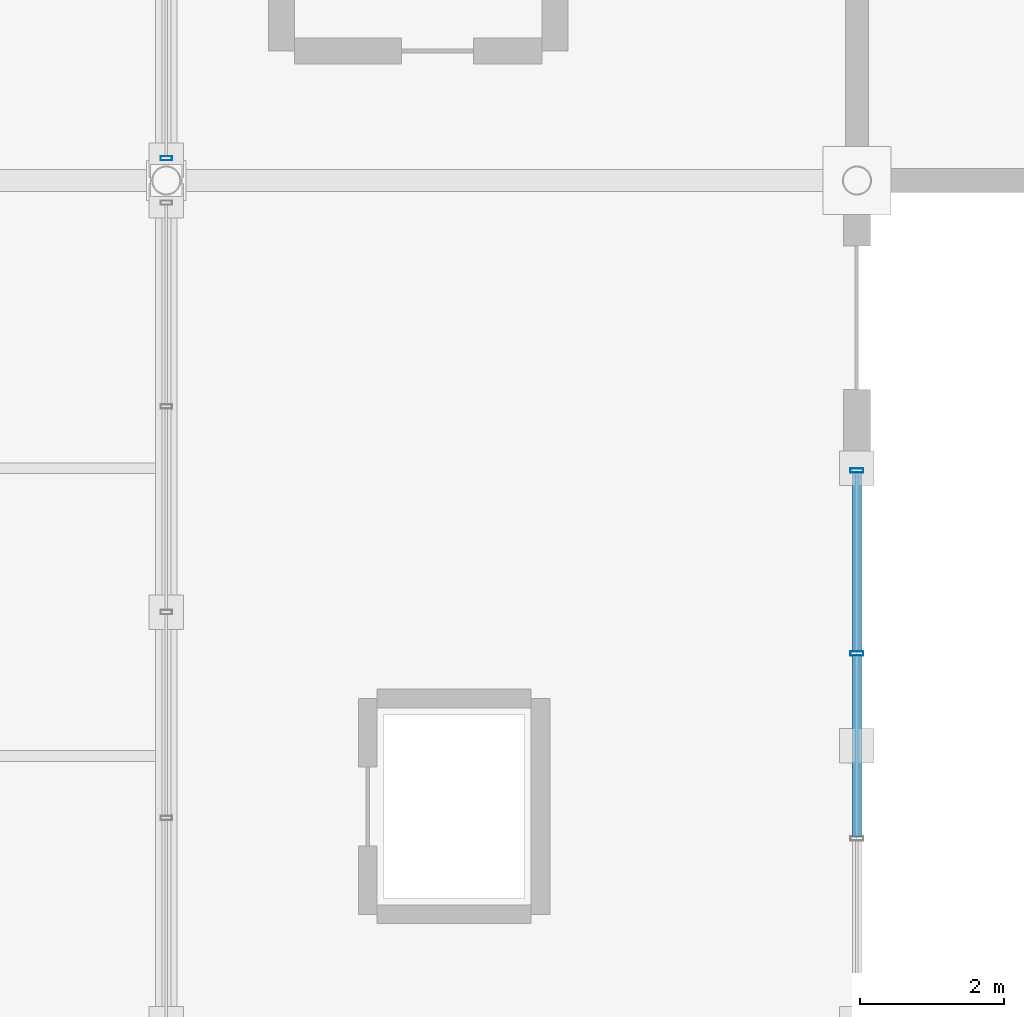
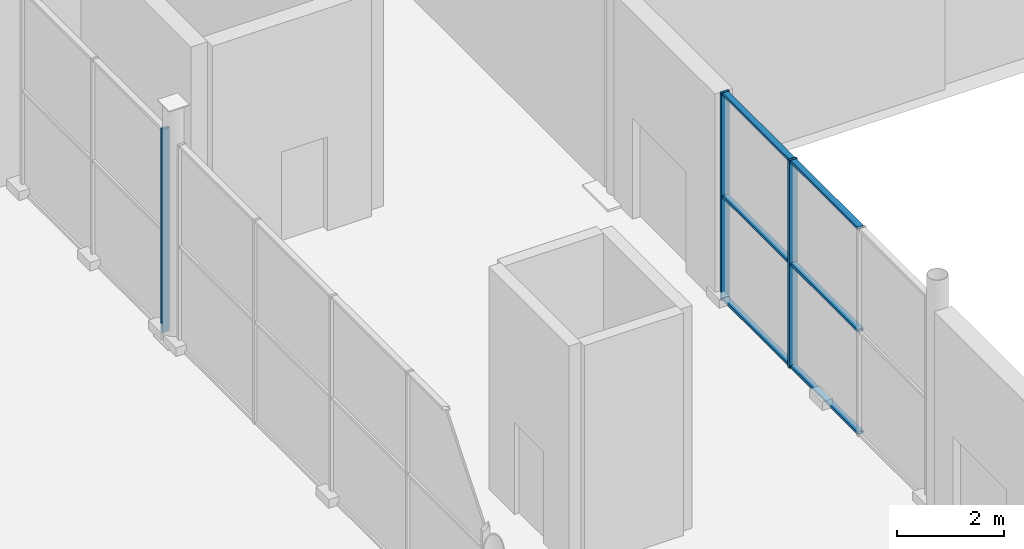
# One storey, part 118 of 196: 9 members, 2 elements without a shape of their own.
"""IFC4 building model written with IfcOpenShell, lengths in metres."""

from ifc_helpers import new_model, si_unit, direction, frame, origin, origin_2d, place, context, subcontext, project, spatial, hollow_rectangle, extrude, material, material_profile, profile_set, type_object, element, aggregate, save


model = new_model("IFC4")

# Units and contexts
model_context = context("Model", 3, precision=1e-05, world=origin(), true_north=direction((0.0, 1.0)))
body_context = subcontext(model_context, "Body", "Model", "MODEL_VIEW")
ifc_project = project(units=[si_unit("LENGTHUNIT", "METRE"), si_unit("AREAUNIT", "SQUARE_METRE"), si_unit("VOLUMEUNIT", "CUBIC_METRE"), si_unit("PLANEANGLEUNIT", "RADIAN"), si_unit("MASSUNIT", "GRAM", prefix="KILO")], contexts=[model_context])

# Site, building, storey
site_placement = place(None, origin())
site = spatial("IfcSite", under=ifc_project, at=site_placement, CompositionType="ELEMENT")
building_placement = place(site_placement, origin())
building = spatial("IfcBuilding", under=site, at=building_placement, Name="Merenkruunu Market Hall", CompositionType="ELEMENT")
storey_placement = place(building_placement, origin())
storey = spatial("IfcBuildingStorey", under=building, at=storey_placement, Name="L00", CompositionType="ELEMENT", Elevation=0.0)

# Curtain wall, member
ifc_material = material(Name="Powder-coated aluminium", Category="aluminium")
curtain_wall_type_1 = type_object("IfcCurtainWallType", Name="Glazed Curtain Wall CW15", PredefinedType="USERDEFINED", material=ifc_material)
curtain_wall_1_placement = place(storey_placement, origin())
curtain_wall_1 = element("IfcCurtainWall", 1, at=curtain_wall_1_placement, inside=storey, type_object=curtain_wall_type_1, Name="CW-L00-CWM01-178", ObjectType="GLAZED_FACADE", PredefinedType="USERDEFINED")
ifc_material_profile_1 = material_profile(ifc_material, hollow_rectangle(XDim=0.06005859375, YDim=0.159912109375, WallThickness=0.00390625, at=origin_2d()), Name="ALU 60x160x4")
ifc_profile_set_1 = profile_set([ifc_material_profile_1], Name="Powder-coated aluminium")
member_type_1 = type_object("IfcMemberType", Name="Curtain Wall Mullion CWM01", PredefinedType="MULLION", material=ifc_profile_set_1)
member_1_placement = place(storey_placement, frame((67.199951171875, 87.909912109375, 0.0), z_axis=(0.0, 0.0, 1.0), x_axis=(0.0, 1.0, 0.0)))
member_1 = element("IfcMember", 2, at=member_1_placement, type_object=member_type_1, Name="CW15 mullion 1", PredefinedType="MULLION", context=body_context, shape_type="SweptSolid", body=[
    extrude(hollow_rectangle(XDim=0.06005859375, YDim=0.159912109375, WallThickness=0.00390625, at=origin_2d()), origin(), (0.0, 0.0, 1.0), 4.64990234375),
])
aggregate(curtain_wall_1, [member_1])

# Curtain wall, members
curtain_wall_type_2 = type_object("IfcCurtainWallType", Name="Glazed Curtain Wall CW12", PredefinedType="USERDEFINED", material=ifc_material)
curtain_wall_2_placement = place(storey_placement, origin())
curtain_wall_2 = element("IfcCurtainWall", 3, at=curtain_wall_2_placement, inside=storey, type_object=curtain_wall_type_2, Name="CW-L00-CWM02-165", ObjectType="GLAZED_FACADE", PredefinedType="USERDEFINED")
ifc_material_profile_2 = material_profile(ifc_material, hollow_rectangle(XDim=0.06005859375, YDim=0.179931640625, WallThickness=0.00390625, at=origin_2d()), Name="ALU 60x180x4")
ifc_profile_set_2 = profile_set([ifc_material_profile_2], Name="Powder-coated aluminium")
member_type_2 = type_object("IfcMemberType", Name="Curtain Wall Mullion CWM02", PredefinedType="MULLION", material=ifc_profile_set_2)
member_2_placement = place(storey_placement, frame((76.800048828125, 83.570068359375, 0.0), z_axis=(0.0, 0.0, 1.0), x_axis=(0.0, -1.0, 0.0)))
member_2 = element("IfcMember", 4, at=member_2_placement, type_object=member_type_2, Name="CW12 mullion 1", PredefinedType="MULLION", context=body_context, shape_type="SweptSolid", body=[
    extrude(hollow_rectangle(XDim=0.06005859375, YDim=0.179931640625, WallThickness=0.00390625, at=origin_2d()), origin(), (0.0, 0.0, 1.0), 4.75),
])
member_3_placement = place(storey_placement, frame((76.800048828125, 81.026611328125, 0.0), z_axis=(0.0, 0.0, 1.0), x_axis=(0.0, -1.0, 0.0)))
member_3 = element("IfcMember", 5, at=member_3_placement, type_object=member_type_2, Name="CW12 mullion 2", PredefinedType="MULLION", context=body_context, shape_type="SweptSolid", body=[
    extrude(hollow_rectangle(XDim=0.06005859375, YDim=0.179931640625, WallThickness=0.00390625, at=origin_2d()), origin(), (0.0, 0.0, 1.0), 4.75),
])
ifc_material_profile_3 = material_profile(ifc_material, hollow_rectangle(XDim=0.06005859375, YDim=0.125, WallThickness=0.00390625, at=origin_2d()), Name="ALU 60x125x4")
ifc_profile_set_3 = profile_set([ifc_material_profile_3], Name="Powder-coated aluminium")
member_type_3 = type_object("IfcMemberType", Name="Curtain Wall Transom CWT01", PredefinedType="USERDEFINED", material=ifc_profile_set_3)
member_4_placement = place(storey_placement, frame((76.800048828125, 83.5400390625, 0.030029296875), z_axis=(0.0, -1.0, 0.0), x_axis=(0.0, 0.0, 1.0)))
member_4 = element("IfcMember", 6, at=member_4_placement, type_object=member_type_3, Name="CW12 transom 1.1", ObjectType="TRANSOM", PredefinedType="USERDEFINED", context=body_context, shape_type="SweptSolid", body=[
    extrude(hollow_rectangle(XDim=0.06005859375, YDim=0.125, WallThickness=0.00390625, at=origin_2d()), origin(), (0.0, 0.0, 1.0), 2.4833984375),
])
member_5_placement = place(storey_placement, frame((76.800048828125, 83.5400390625, 2.375), z_axis=(0.0, -1.0, 0.0), x_axis=(0.0, 0.0, 1.0)))
member_5 = element("IfcMember", 7, at=member_5_placement, type_object=member_type_3, Name="CW12 transom 1.2", ObjectType="TRANSOM", PredefinedType="USERDEFINED", context=body_context, shape_type="SweptSolid", body=[
    extrude(hollow_rectangle(XDim=0.06005859375, YDim=0.125, WallThickness=0.00390625, at=origin_2d()), origin(), (0.0, 0.0, 1.0), 2.4833984375),
])
member_6_placement = place(storey_placement, frame((76.800048828125, 83.5400390625, 4.719970703125), z_axis=(0.0, -1.0, 0.0), x_axis=(0.0, 0.0, 1.0)))
member_6 = element("IfcMember", 8, at=member_6_placement, type_object=member_type_3, Name="CW12 transom 1.3", ObjectType="TRANSOM", PredefinedType="USERDEFINED", context=body_context, shape_type="SweptSolid", body=[
    extrude(hollow_rectangle(XDim=0.06005859375, YDim=0.125, WallThickness=0.00390625, at=origin_2d()), origin(), (0.0, 0.0, 1.0), 2.4833984375),
])
member_7_placement = place(storey_placement, frame((76.800048828125, 80.99658203125, 0.030029296875), z_axis=(0.0, -1.0, 0.0), x_axis=(0.0, 0.0, 1.0)))
member_7 = element("IfcMember", 9, at=member_7_placement, type_object=member_type_3, Name="CW12 transom 2.1", ObjectType="TRANSOM", PredefinedType="USERDEFINED", context=body_context, shape_type="SweptSolid", body=[
    extrude(hollow_rectangle(XDim=0.06005859375, YDim=0.125, WallThickness=0.00390625, at=origin_2d()), origin(), (0.0, 0.0, 1.0), 2.51318359375),
])
member_8_placement = place(storey_placement, frame((76.800048828125, 80.99658203125, 2.375), z_axis=(0.0, -1.0, 0.0), x_axis=(0.0, 0.0, 1.0)))
member_8 = element("IfcMember", 10, at=member_8_placement, type_object=member_type_3, Name="CW12 transom 2.2", ObjectType="TRANSOM", PredefinedType="USERDEFINED", context=body_context, shape_type="SweptSolid", body=[
    extrude(hollow_rectangle(XDim=0.06005859375, YDim=0.125, WallThickness=0.00390625, at=origin_2d()), origin(), (0.0, 0.0, 1.0), 2.51318359375),
])
member_9_placement = place(storey_placement, frame((76.800048828125, 80.99658203125, 4.719970703125), z_axis=(0.0, -1.0, 0.0), x_axis=(0.0, 0.0, 1.0)))
member_9 = element("IfcMember", 11, at=member_9_placement, type_object=member_type_3, Name="CW12 transom 2.3", ObjectType="TRANSOM", PredefinedType="USERDEFINED", context=body_context, shape_type="SweptSolid", body=[
    extrude(hollow_rectangle(XDim=0.06005859375, YDim=0.125, WallThickness=0.00390625, at=origin_2d()), origin(), (0.0, 0.0, 1.0), 2.51318359375),
])
aggregate(curtain_wall_2, [member_2, member_3, member_4, member_5, member_6, member_7, member_8, member_9])

save(model, "model.ifc")
